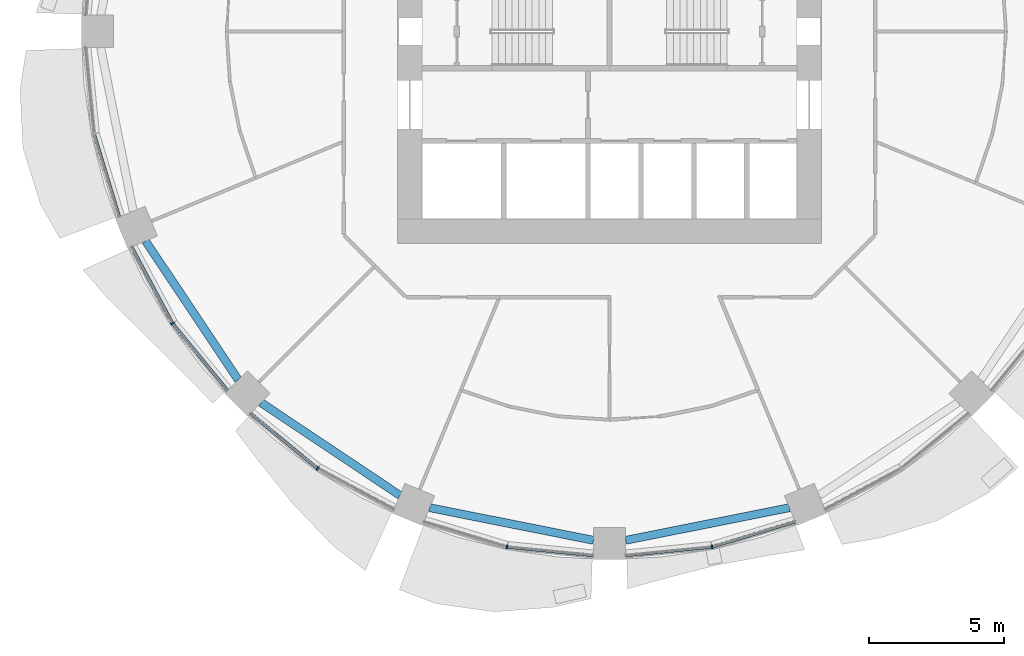
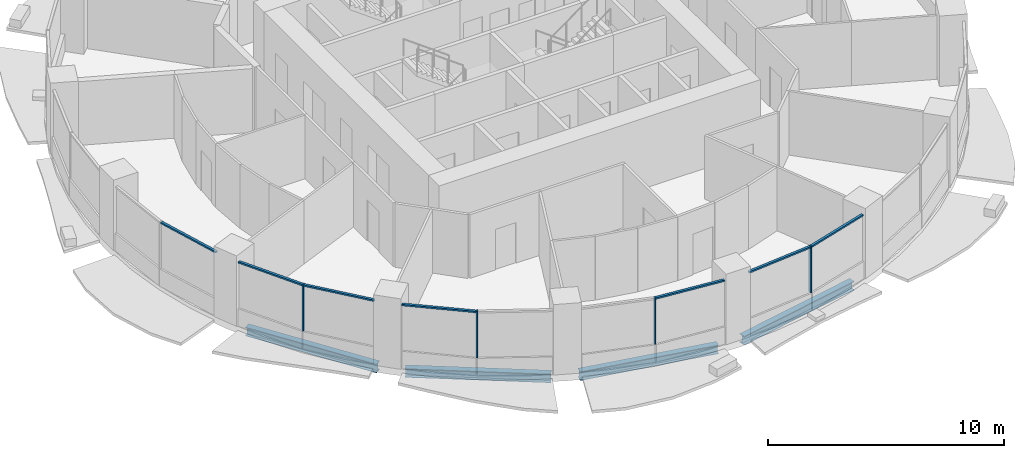
# One storey, part 2 of 15: 11 members, 4 beams, 5 elements without a shape of their own.
"""IFC4 building model written with IfcOpenShell, lengths in metres."""

from ifc_helpers import new_model, si_unit, direction, frame, origin, origin_2d, place, context, subcontext, project, spatial, rectangle, i_section, extrude, material, material_profile, profile_set, type_object, element, aggregate, save


model = new_model("IFC4")

# Units and contexts
model_context = context("Model", 3, precision=1e-05, world=origin(), true_north=direction((0.0, 1.0)))
body_context = subcontext(model_context, "Body", "Model", "MODEL_VIEW")
ifc_project = project(units=[si_unit("LENGTHUNIT", "METRE"), si_unit("AREAUNIT", "SQUARE_METRE"), si_unit("VOLUMEUNIT", "CUBIC_METRE"), si_unit("PLANEANGLEUNIT", "RADIAN"), si_unit("MASSUNIT", "GRAM", prefix="KILO")], contexts=[model_context])

# Site, building, storey
site_placement = place(None, origin())
site = spatial("IfcSite", under=ifc_project, at=site_placement, CompositionType="ELEMENT")
building_placement = place(site_placement, origin())
building = spatial("IfcBuilding", under=site, at=building_placement, Name="Polderwave Tower", CompositionType="ELEMENT")
storey_placement = place(building_placement, frame((0.0, 0.0, 55.39990234375)))
storey = spatial("IfcBuildingStorey", under=building, at=storey_placement, Name="L14", CompositionType="ELEMENT", Elevation=55.39990234375)

# Curtain wall, member
ifc_material_1 = material(Name="Aluminium 6063-T6 and glass", Category="aluminium")
curtain_wall_type = type_object("IfcCurtainWallType", Name="Growing floor ribbon glazing wall", PredefinedType="NOTDEFINED", material=ifc_material_1)
curtain_wall_1_placement = place(storey_placement, origin())
curtain_wall_1 = element("IfcCurtainWall", 1, at=curtain_wall_1_placement, inside=storey, type_object=curtain_wall_type, Name="CW2 L14 09", PredefinedType="NOTDEFINED")
ifc_material_2 = material(Name="Aluminium 6063-T6", Category="aluminium")
ifc_material_profile_1 = material_profile(ifc_material_2, rectangle(XDim=0.14990234375, YDim=0.06005859375, at=origin_2d()), Name="AL 60x150")
ifc_profile_set_1 = profile_set([ifc_material_profile_1], Name="Aluminium 6063-T6")
member_type_1 = type_object("IfcMemberType", Name="Growing floor ribbon glazing mullion 60x150", PredefinedType="MULLION", material=ifc_profile_set_1)
member_1_placement = place(storey_placement, frame((-16.239013671875, -10.85009765625, 0.900146484375), z_axis=(0.0, 0.0, 1.0), x_axis=(0.83146573367, 0.555576037759, 0.0)))
member_1 = element("IfcMember", 2, at=member_1_placement, type_object=member_type_1, Name="CW2 mullion 1", PredefinedType="MULLION", context=body_context, shape_type="SweptSolid", body=[
    extrude(rectangle(XDim=0.14990234375, YDim=0.06005859375, at=origin_2d()), origin(), (0.0, 0.0, 1.0), 2.39990234375),
])

curtain_wall_2_placement = place(storey_placement, origin())
curtain_wall_2 = element("IfcCurtainWall", 3, at=curtain_wall_2_placement, inside=storey, type_object=curtain_wall_type, Name="CW2 L14 10", PredefinedType="NOTDEFINED")
member_2_placement = place(storey_placement, frame((-10.85009765625, -16.239013671875, 0.900146484375), z_axis=(0.0, 0.0, 1.0), x_axis=(0.555576037759, 0.83146573367, 0.0)))
member_2 = element("IfcMember", 4, at=member_2_placement, type_object=member_type_1, Name="CW2 mullion 1", PredefinedType="MULLION", context=body_context, shape_type="SweptSolid", body=[
    extrude(rectangle(XDim=0.14990234375, YDim=0.06005859375, at=origin_2d()), origin(), (0.0, 0.0, 1.0), 2.39990234375),
])

curtain_wall_3_placement = place(storey_placement, origin())
curtain_wall_3 = element("IfcCurtainWall", 5, at=curtain_wall_3_placement, inside=storey, type_object=curtain_wall_type, Name="CW2 L14 11", PredefinedType="NOTDEFINED")
member_3_placement = place(storey_placement, frame((-3.81005859375, -19.155029296875, 0.900146484375), z_axis=(0.0, 0.0, 1.0), x_axis=(0.195148522643, 0.980773701784, 0.0)))
member_3 = element("IfcMember", 6, at=member_3_placement, type_object=member_type_1, Name="CW2 mullion 1", PredefinedType="MULLION", context=body_context, shape_type="SweptSolid", body=[
    extrude(rectangle(XDim=0.14990234375, YDim=0.06005859375, at=origin_2d()), origin(), (0.0, 0.0, 1.0), 2.39990234375),
])

curtain_wall_4_placement = place(storey_placement, origin())
curtain_wall_4 = element("IfcCurtainWall", 7, at=curtain_wall_4_placement, inside=storey, type_object=curtain_wall_type, Name="CW2 L14 12", PredefinedType="NOTDEFINED")
member_4_placement = place(storey_placement, frame((3.81005859375, -19.155029296875, 0.900146484375), z_axis=(0.0, 0.0, 1.0), x_axis=(-0.195148522643, 0.980773701784, 0.0)))
member_4 = element("IfcMember", 8, at=member_4_placement, type_object=member_type_1, Name="CW2 mullion 1", PredefinedType="MULLION", context=body_context, shape_type="SweptSolid", body=[
    extrude(rectangle(XDim=0.14990234375, YDim=0.06005859375, at=origin_2d()), origin(), (0.0, 0.0, 1.0), 2.39990234375),
])

curtain_wall_5_placement = place(storey_placement, origin())
curtain_wall_5 = element("IfcCurtainWall", 9, at=curtain_wall_5_placement, inside=storey, type_object=curtain_wall_type, Name="CW2 L14 08", PredefinedType="NOTDEFINED")
ifc_material_profile_2 = material_profile(ifc_material_2, rectangle(XDim=0.1201171875, YDim=0.080078125, at=origin_2d()), Name="AL 80x120")
ifc_profile_set_2 = profile_set([ifc_material_profile_2], Name="Aluminium 6063-T6")
member_type_2 = type_object("IfcMemberType", Name="Growing floor ribbon glazing transom 80x120", PredefinedType="USERDEFINED", material=ifc_profile_set_2)
member_5_placement = place(storey_placement, frame((-19.146240234375, -3.838623046875, 3.260009765625), z_axis=(0.290422902272, -0.95689839473, 0.0), x_axis=(0.95689839473, 0.290422902272, 0.0)))
member_5 = element("IfcMember", 10, at=member_5_placement, type_object=member_type_2, Name="CW2 transom 2", ObjectType="TRANSOM", PredefinedType="USERDEFINED", context=body_context, shape_type="SweptSolid", body=[
    extrude(rectangle(XDim=0.1201171875, YDim=0.080078125, at=origin_2d()), origin(), (0.0, 0.0, 1.0), 3.196044921875),
])
aggregate(curtain_wall_5, [member_5])

# Member
member_6_placement = place(storey_placement, frame((-17.759033203125, -8.006103515625, 3.260009765625), z_axis=(0.471381370673, -0.881929477556, 0.0), x_axis=(0.881929477556, 0.471381370673, 0.0)))
member_6 = element("IfcMember", 11, at=member_6_placement, type_object=member_type_2, Name="CW2 transom 1", ObjectType="TRANSOM", PredefinedType="USERDEFINED", context=body_context, shape_type="SweptSolid", body=[
    extrude(rectangle(XDim=0.1201171875, YDim=0.080078125, at=origin_2d()), origin(), (0.0, 0.0, 1.0), 3.194580078125),
])

member_7_placement = place(storey_placement, frame((-16.219970703125, -10.873291015625, 3.260009765625), z_axis=(0.63447226594, -0.772945627941, 0.0), x_axis=(0.772945627941, 0.63447226594, 0.0)))
member_7 = element("IfcMember", 12, at=member_7_placement, type_object=member_type_2, Name="CW2 transom 2", ObjectType="TRANSOM", PredefinedType="USERDEFINED", context=body_context, shape_type="SweptSolid", body=[
    extrude(rectangle(XDim=0.1201171875, YDim=0.080078125, at=origin_2d()), origin(), (0.0, 0.0, 1.0), 3.196533203125),
])

aggregate(curtain_wall_1, [member_1, member_6, member_7])

member_8_placement = place(storey_placement, frame((-13.343994140625, -14.19189453125, 3.260009765625), z_axis=(0.772945627941, -0.63447226594, 0.0), x_axis=(0.63447226594, 0.772945627941, 0.0)))
member_8 = element("IfcMember", 13, at=member_8_placement, type_object=member_type_2, Name="CW2 transom 1", ObjectType="TRANSOM", PredefinedType="USERDEFINED", context=body_context, shape_type="SweptSolid", body=[
    extrude(rectangle(XDim=0.1201171875, YDim=0.080078125, at=origin_2d()), origin(), (0.0, 0.0, 1.0), 3.196533203125),
])

aggregate(curtain_wall_2, [member_2, member_8])

member_9_placement = place(storey_placement, frame((-3.780029296875, -19.157958984375, 3.260009765625), z_axis=(0.99519106363, -0.097952778777, 0.0), x_axis=(0.097952778777, 0.99519106363, 0.0)))
member_9 = element("IfcMember", 14, at=member_9_placement, type_object=member_type_2, Name="CW2 transom 2", ObjectType="TRANSOM", PredefinedType="USERDEFINED", context=body_context, shape_type="SweptSolid", body=[
    extrude(rectangle(XDim=0.1201171875, YDim=0.080078125, at=origin_2d()), origin(), (0.0, 0.0, 1.0), 3.1953125),
])

aggregate(curtain_wall_3, [member_3, member_9])

member_10_placement = place(storey_placement, frame((0.60009765625, -19.470947265625, 3.260009765625), z_axis=(0.99519106363, 0.097952778777, 0.0), x_axis=(-0.097952778777, 0.99519106363, 0.0)))
member_10 = element("IfcMember", 15, at=member_10_placement, type_object=member_type_2, Name="CW2 transom 1", ObjectType="TRANSOM", PredefinedType="USERDEFINED", context=body_context, shape_type="SweptSolid", body=[
    extrude(rectangle(XDim=0.1201171875, YDim=0.080078125, at=origin_2d()), origin(), (0.0, 0.0, 1.0), 3.1953125),
])

member_11_placement = place(storey_placement, frame((3.838623046875, -19.146240234375, 3.260009765625), z_axis=(0.95689839473, 0.290422902272, 0.0), x_axis=(-0.290422902272, 0.95689839473, 0.0)))
member_11 = element("IfcMember", 16, at=member_11_placement, type_object=member_type_2, Name="CW2 transom 2", ObjectType="TRANSOM", PredefinedType="USERDEFINED", context=body_context, shape_type="SweptSolid", body=[
    extrude(rectangle(XDim=0.1201171875, YDim=0.080078125, at=origin_2d()), origin(), (0.0, 0.0, 1.0), 3.196044921875),
])

aggregate(curtain_wall_4, [member_4, member_10, member_11])

# Beams
ifc_material_3 = material(Name="Steel S355", Category="steel")
ifc_material_profile_3 = material_profile(ifc_material_3, i_section(OverallWidth=0.300048828125, OverallDepth=0.449951171875, WebThickness=0.013916015625, FlangeThickness=0.02587890625, at=origin_2d()), Name="HE 450 B")
ifc_profile_set_3 = profile_set([ifc_material_profile_3], Name="Steel S355")
beam_type = type_object("IfcBeamType", Name="RING BEAM HE 450 B", PredefinedType="BEAM", material=ifc_profile_set_3)
for number, where, z_axis, x_axis, name in (
    (17, (-17.241455078125, -7.791015625, -0.574951171875), (0.555553875554, -0.831480541779, 0.0), (0.831480541779, 0.555553875554, 0.0), "ST-RB-L14-09"),
    (18, (-12.947509765625, -13.796142578125, -0.574951171875), (0.831480541779, -0.555553875554, 0.0), (0.555553875554, 0.831480541779, 0.0), "ST-RB-L14-10"),
):
    element("IfcBeam", number, at=place(storey_placement, frame(where, z_axis=z_axis, x_axis=x_axis)), inside=storey, type_object=beam_type, Name=name, PredefinedType="BEAM", context=body_context, shape_type="SweptSolid", body=[
        extrude(i_section(OverallWidth=0.300048828125, OverallDepth=0.449951171875, WebThickness=0.013916015625, FlangeThickness=0.02587890625, at=origin_2d()), origin(), (0.0, 0.0, 1.0), 6.20166015625),
    ])
for number, where, z_axis, x_axis, name in (
    (19, (-6.682373046875, -17.70068359375, -0.574951171875), (0.980781542517, -0.195109112701, 0.0), (0.195109112701, 0.980781542517, 0.0), "ST-RB-L14-11"),
    (20, (0.60009765625, -18.91064453125, -0.574951171875), (0.980781542517, 0.195109112701, 0.0), (-0.195109112701, 0.980781542517, 0.0), "ST-RB-L14-12"),
):
    element("IfcBeam", number, at=place(storey_placement, frame(where, z_axis=z_axis, x_axis=x_axis)), inside=storey, type_object=beam_type, Name=name, PredefinedType="BEAM", context=body_context, shape_type="SweptSolid", body=[
        extrude(i_section(OverallWidth=0.300048828125, OverallDepth=0.449951171875, WebThickness=0.013916015625, FlangeThickness=0.02587890625, at=origin_2d()), origin(), (0.0, 0.0, 1.0), 6.201416015625),
    ])

save(model, "model.ifc")
